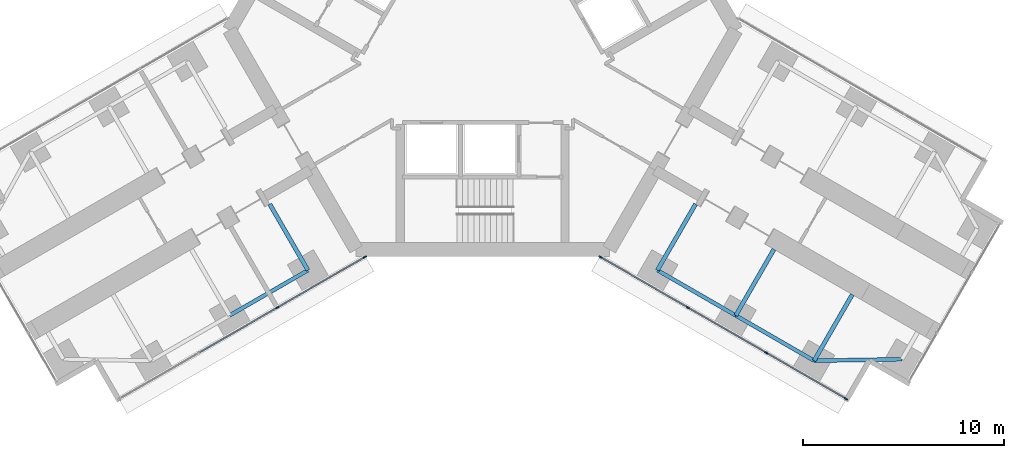
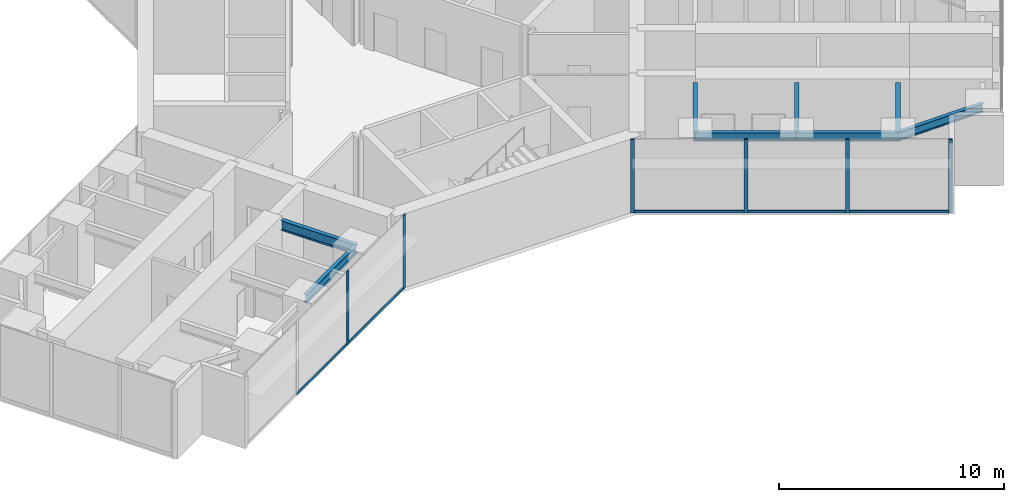
# One storey, part 9 of 23: 11 members, 8 beams, 2 elements without a shape of their own.
"""IFC4 building model written with IfcOpenShell, lengths in metres."""

from ifc_helpers import new_model, si_unit, direction, frame, origin, origin_2d, place, context, subcontext, project, spatial, rectangle, i_section, extrude, material, material_profile, profile_set, type_object, element, aggregate, save


model = new_model("IFC4")

# Units and contexts
model_context = context("Model", 3, precision=1e-05, world=origin(), true_north=direction((0.0, 1.0)))
body_context = subcontext(model_context, "Body", "Model", "MODEL_VIEW")
ifc_project = project(units=[si_unit("LENGTHUNIT", "METRE"), si_unit("AREAUNIT", "SQUARE_METRE"), si_unit("VOLUMEUNIT", "CUBIC_METRE"), si_unit("PLANEANGLEUNIT", "RADIAN"), si_unit("MASSUNIT", "GRAM", prefix="KILO")], contexts=[model_context])

# Site, building, storey
site_placement = place(None, origin())
site = spatial("IfcSite", under=ifc_project, at=site_placement, CompositionType="ELEMENT")
building_placement = place(site_placement, origin())
building = spatial("IfcBuilding", under=site, at=building_placement, Name="Upepo Twin Towers", CompositionType="ELEMENT")
storey_placement = place(building_placement, frame((0.0, 0.0, 28.5)))
storey = spatial("IfcBuildingStorey", under=building, at=storey_placement, Name="L06", CompositionType="ELEMENT", Elevation=28.5)

# Beams
ifc_material_1 = material(Name="Steel S355", Category="steel")
ifc_material_profile_1 = material_profile(ifc_material_1, i_section(OverallWidth=0.1904296875, OverallDepth=0.45703125, WebThickness=0.009033203125, FlangeThickness=0.014404296875, FilletRadius=0.01025390625, at=origin_2d()), Name="UB 457x191x74")
ifc_profile_set_1 = profile_set([ifc_material_profile_1], Name="Steel S355")
beam_type_1 = type_object("IfcBeamType", Name="Beam UB 457x191x74", PredefinedType="BEAM", material=ifc_profile_set_1)
for number, where, z_axis, x_axis, name in (
    (1, (49.80859375, -29.946044921875, 3.571533203125), (-0.866017533419, -0.500013631625, 0.0), (0.500013631625, -0.866017533419, 0.0), "T2 edge beam BL 13.5-18.0"),
    (2, (67.19140625, -29.946044921875, 3.571533203125), (0.866017533419, -0.500013631625, 0.0), (0.500013631625, 0.866017533419, 0.0), "T2 edge beam CR 13.5-18.0"),
):
    element("IfcBeam", number, at=place(storey_placement, frame(where, z_axis=z_axis, x_axis=x_axis)), inside=storey, type_object=beam_type_1, Name=name, PredefinedType="BEAM", context=body_context, shape_type="SweptSolid", body=[
        extrude(i_section(OverallWidth=0.1904296875, OverallDepth=0.45703125, WebThickness=0.009033203125, FlangeThickness=0.014404296875, FilletRadius=0.01025390625, at=origin_2d()), origin(), (0.0, 0.0, 1.0), 4.499755859375),
    ])
beam_1_placement = place(storey_placement, frame((71.08837890625, -32.196044921875, 3.571533203125), z_axis=(0.866031096941, -0.499990139034, 0.0), x_axis=(0.499990139034, 0.866031096941, 0.0)))
element("IfcBeam", 3, at=beam_1_placement, inside=storey, type_object=beam_type_1, Name="T2 edge beam CR 18.0-22.5", PredefinedType="BEAM", context=body_context, shape_type="SweptSolid", body=[
    extrude(i_section(OverallWidth=0.1904296875, OverallDepth=0.45703125, WebThickness=0.009033203125, FlangeThickness=0.014404296875, FilletRadius=0.01025390625, at=origin_2d()), origin(), (0.0, 0.0, 1.0), 4.5),
])
beam_2_placement = place(storey_placement, frame((74.985595703125, -34.446044921875, 3.571533203125), z_axis=(0.999858804832, 0.016803880528, 0.0), x_axis=(-0.016803880528, 0.999858804832, 0.0)))
element("IfcBeam", 4, at=beam_2_placement, inside=storey, type_object=beam_type_1, Name="T2 nose edge beam CR", PredefinedType="BEAM", context=body_context, shape_type="SweptSolid", body=[
    extrude(i_section(OverallWidth=0.1904296875, OverallDepth=0.45703125, WebThickness=0.009033203125, FlangeThickness=0.014404296875, FilletRadius=0.01025390625, at=origin_2d()), origin(), (0.0, 0.0, 1.0), 4.373291015625),
])
ifc_material_2 = material(Name="Steel S355", Category="steel")
ifc_material_profile_2 = material_profile(ifc_material_2, i_section(OverallWidth=0.209228515625, OverallDepth=0.533203125, WebThickness=0.010009765625, FlangeThickness=0.015625, FilletRadius=0.0126953125, at=origin_2d()), Name="UB 533x210x92")
ifc_profile_set_2 = profile_set([ifc_material_profile_2], Name="Steel S355")
beam_type_2 = type_object("IfcBeamType", Name="Beam UB 533x210x92", PredefinedType="BEAM", material=ifc_profile_set_2)
for number, where, z_axis, x_axis, name in (
    (5, (49.80859375, -29.946044921875, 3.533447265625), (-0.499994975061, 0.866028304915, 0.0), (-0.866028304915, -0.499994975061, 0.0), "T2 girder BL at 13.5"),
    (6, (67.19140625, -29.946044921875, 3.533447265625), (0.499994975061, 0.866028304915, 0.0), (-0.866028304915, 0.499994975061, 0.0), "T2 girder CR at 13.5"),
):
    element("IfcBeam", number, at=place(storey_placement, frame(where, z_axis=z_axis, x_axis=x_axis)), inside=storey, type_object=beam_type_2, Name=name, PredefinedType="BEAM", context=body_context, shape_type="SweptSolid", body=[
        extrude(i_section(OverallWidth=0.209228515625, OverallDepth=0.533203125, WebThickness=0.010009765625, FlangeThickness=0.015625, FilletRadius=0.0126953125, at=origin_2d()), origin(), (0.0, 0.0, 1.0), 3.7998046875),
    ])
beam_3_placement = place(storey_placement, frame((71.08837890625, -32.196044921875, 3.533447265625), z_axis=(0.500043160704, 0.866000483506, 0.0), x_axis=(-0.866000483506, 0.500043160704, 0.0)))
element("IfcBeam", 7, at=beam_3_placement, inside=storey, type_object=beam_type_2, Name="T2 girder CR at 18.0", PredefinedType="BEAM", context=body_context, shape_type="SweptSolid", body=[
    extrude(i_section(OverallWidth=0.209228515625, OverallDepth=0.533203125, WebThickness=0.010009765625, FlangeThickness=0.015625, FilletRadius=0.0126953125, at=origin_2d()), origin(), (0.0, 0.0, 1.0), 3.800048828125),
])
beam_4_placement = place(storey_placement, frame((74.985595703125, -34.446044921875, 3.533447265625), z_axis=(0.499994975061, 0.866028304915, 0.0), x_axis=(-0.866028304915, 0.499994975061, 0.0)))
element("IfcBeam", 8, at=beam_4_placement, inside=storey, type_object=beam_type_2, Name="T2 girder CR at 22.5", PredefinedType="BEAM", context=body_context, shape_type="SweptSolid", body=[
    extrude(i_section(OverallWidth=0.209228515625, OverallDepth=0.533203125, WebThickness=0.010009765625, FlangeThickness=0.015625, FilletRadius=0.0126953125, at=origin_2d()), origin(), (0.0, 0.0, 1.0), 3.7998046875),
])

# Curtain wall, members
ifc_material_3 = material(Name="Aluminium and fritted glass", Category="aluminium")
curtain_wall_type = type_object("IfcCurtainWallType", Name="Tower curtain wall TW1, fritted glass", PredefinedType="NOTDEFINED", material=ifc_material_3)
curtain_wall_1_placement = place(storey_placement, origin())
curtain_wall_1 = element("IfcCurtainWall", 9, at=curtain_wall_1_placement, inside=storey, type_object=curtain_wall_type, Name="T2 L06 wing B flank L curtain wall", PredefinedType="NOTDEFINED")
ifc_material_4 = material(Name="Aluminium mullion", Category="aluminium")
ifc_material_profile_3 = material_profile(ifc_material_4, rectangle(XDim=0.06494140625, YDim=0.179931640625, at=origin_2d()), Name="MULLION 65x180")
ifc_profile_set_3 = profile_set([ifc_material_profile_3], Name="Aluminium mullion")
member_type_1 = type_object("IfcMemberType", Name="Mullion 65x180 TW1", PredefinedType="MULLION", material=ifc_profile_set_3)
member_1_placement = place(storey_placement, frame((52.6416015625, -29.2919921875, 0.0), z_axis=(0.0, 0.0, 1.0), x_axis=(0.500000024426, -0.866025389682, 0.0)))
member_1 = element("IfcMember", 10, at=member_1_placement, type_object=member_type_1, Name="T2 L06 wing B flank L curtain wall mullion 1", PredefinedType="MULLION", context=body_context, shape_type="SweptSolid", body=[
    extrude(rectangle(XDim=0.06494140625, YDim=0.179931640625, at=origin_2d()), origin(), (0.0, 0.0, 1.0), 4.0),
])
member_2_placement = place(storey_placement, frame((48.28515625, -31.807373046875, 0.0), z_axis=(0.0, 0.0, 1.0), x_axis=(0.500000024426, -0.866025389682, 0.0)))
member_2 = element("IfcMember", 11, at=member_2_placement, type_object=member_type_1, Name="T2 L06 wing B flank L curtain wall mullion 2", PredefinedType="MULLION", context=body_context, shape_type="SweptSolid", body=[
    extrude(rectangle(XDim=0.06494140625, YDim=0.179931640625, at=origin_2d()), origin(), (0.0, 0.0, 1.0), 4.0),
])

curtain_wall_2_placement = place(storey_placement, origin())
curtain_wall_2 = element("IfcCurtainWall", 12, at=curtain_wall_2_placement, inside=storey, type_object=curtain_wall_type, Name="T2 L06 wing C flank R curtain wall", PredefinedType="NOTDEFINED")
member_3_placement = place(storey_placement, frame((76.567626953125, -36.341064453125, 0.0), z_axis=(0.0, 0.0, 1.0), x_axis=(-0.500000024426, -0.866025389682, 0.0)))
member_3 = element("IfcMember", 13, at=member_3_placement, type_object=member_type_1, Name="T2 L06 wing C flank R curtain wall mullion 1", PredefinedType="MULLION", context=body_context, shape_type="SweptSolid", body=[
    extrude(rectangle(XDim=0.06494140625, YDim=0.179931640625, at=origin_2d()), origin(), (0.0, 0.0, 1.0), 4.0),
])
member_4_placement = place(storey_placement, frame((72.612060546875, -34.057373046875, 0.0), z_axis=(0.0, 0.0, 1.0), x_axis=(-0.500000024426, -0.866025389682, 0.0)))
member_4 = element("IfcMember", 14, at=member_4_placement, type_object=member_type_1, Name="T2 L06 wing C flank R curtain wall mullion 2", PredefinedType="MULLION", context=body_context, shape_type="SweptSolid", body=[
    extrude(rectangle(XDim=0.06494140625, YDim=0.179931640625, at=origin_2d()), origin(), (0.0, 0.0, 1.0), 4.0),
])
member_5_placement = place(storey_placement, frame((68.71484375, -31.807373046875, 0.0), z_axis=(0.0, 0.0, 1.0), x_axis=(-0.500000024426, -0.866025389682, 0.0)))
member_5 = element("IfcMember", 15, at=member_5_placement, type_object=member_type_1, Name="T2 L06 wing C flank R curtain wall mullion 3", PredefinedType="MULLION", context=body_context, shape_type="SweptSolid", body=[
    extrude(rectangle(XDim=0.06494140625, YDim=0.179931640625, at=origin_2d()), origin(), (0.0, 0.0, 1.0), 4.0),
])
member_6_placement = place(storey_placement, frame((64.3583984375, -29.2919921875, 0.0), z_axis=(0.0, 0.0, 1.0), x_axis=(-0.500000024426, -0.866025389682, 0.0)))
member_6 = element("IfcMember", 16, at=member_6_placement, type_object=member_type_1, Name="T2 L06 wing C flank R curtain wall mullion 4", PredefinedType="MULLION", context=body_context, shape_type="SweptSolid", body=[
    extrude(rectangle(XDim=0.06494140625, YDim=0.179931640625, at=origin_2d()), origin(), (0.0, 0.0, 1.0), 4.0),
])

# Member
ifc_material_5 = material(Name="Aluminium transom", Category="aluminium")
ifc_material_profile_4 = material_profile(ifc_material_5, rectangle(XDim=0.06494140625, YDim=0.14990234375, at=origin_2d()), Name="TRANSOM 65x150")
ifc_profile_set_4 = profile_set([ifc_material_profile_4], Name="Aluminium transom")
member_type_2 = type_object("IfcMemberType", Name="Transom 65x150 TW1", PredefinedType="USERDEFINED", material=ifc_profile_set_4)
member_7_placement = place(storey_placement, frame((52.61328125, -29.308349609375, 0.074951171875), z_axis=(-0.866022642139, -0.50000478328, 0.0), x_axis=(0.50000478328, -0.866022642139, 0.0)))
member_7 = element("IfcMember", 17, at=member_7_placement, type_object=member_type_2, Name="T2 L06 wing B flank L curtain wall transom 1", ObjectType="TRANSOM", PredefinedType="USERDEFINED", context=body_context, shape_type="SweptSolid", body=[
    extrude(rectangle(XDim=0.06494140625, YDim=0.14990234375, at=origin_2d()), origin(), (0.0, 0.0, 1.0), 4.96533203125),
])

member_8_placement = place(storey_placement, frame((48.2568359375, -31.823486328125, 0.074951171875), z_axis=(-0.866022410713, -0.500005184116, 0.0), x_axis=(0.500005184116, -0.866022410713, 0.0)))
member_8 = element("IfcMember", 18, at=member_8_placement, type_object=member_type_2, Name="T2 L06 wing B flank L curtain wall transom 2", ObjectType="TRANSOM", PredefinedType="USERDEFINED", context=body_context, shape_type="SweptSolid", body=[
    extrude(rectangle(XDim=0.06494140625, YDim=0.14990234375, at=origin_2d()), origin(), (0.0, 0.0, 1.0), 4.43505859375),
])

aggregate(curtain_wall_1, [member_1, member_2, member_7, member_8])

member_9_placement = place(storey_placement, frame((76.53955078125, -36.32470703125, 0.074951171875), z_axis=(-0.866035699072, 0.499982167615, 0.0), x_axis=(-0.499982167615, -0.866035699072, 0.0)))
member_9 = element("IfcMember", 19, at=member_9_placement, type_object=member_type_2, Name="T2 L06 wing C flank R curtain wall transom 1", ObjectType="TRANSOM", PredefinedType="USERDEFINED", context=body_context, shape_type="SweptSolid", body=[
    extrude(rectangle(XDim=0.06494140625, YDim=0.14990234375, at=origin_2d()), origin(), (0.0, 0.0, 1.0), 4.502685546875),
])

member_10_placement = place(storey_placement, frame((72.583984375, -34.041015625, 0.074951171875), z_axis=(-0.866022410713, 0.500005184116, 0.0), x_axis=(-0.500005184116, -0.866022410713, 0.0)))
member_10 = element("IfcMember", 20, at=member_10_placement, type_object=member_type_2, Name="T2 L06 wing C flank R curtain wall transom 2", ObjectType="TRANSOM", PredefinedType="USERDEFINED", context=body_context, shape_type="SweptSolid", body=[
    extrude(rectangle(XDim=0.06494140625, YDim=0.14990234375, at=origin_2d()), origin(), (0.0, 0.0, 1.0), 4.43505859375),
])

member_11_placement = place(storey_placement, frame((68.686767578125, -31.791015625, 0.074951171875), z_axis=(-0.866022642139, 0.50000478328, 0.0), x_axis=(-0.50000478328, -0.866022642139, 0.0)))
member_11 = element("IfcMember", 21, at=member_11_placement, type_object=member_type_2, Name="T2 L06 wing C flank R curtain wall transom 3", ObjectType="TRANSOM", PredefinedType="USERDEFINED", context=body_context, shape_type="SweptSolid", body=[
    extrude(rectangle(XDim=0.06494140625, YDim=0.14990234375, at=origin_2d()), origin(), (0.0, 0.0, 1.0), 4.96533203125),
])

aggregate(curtain_wall_2, [member_3, member_4, member_5, member_6, member_9, member_10, member_11])

save(model, "model.ifc")
